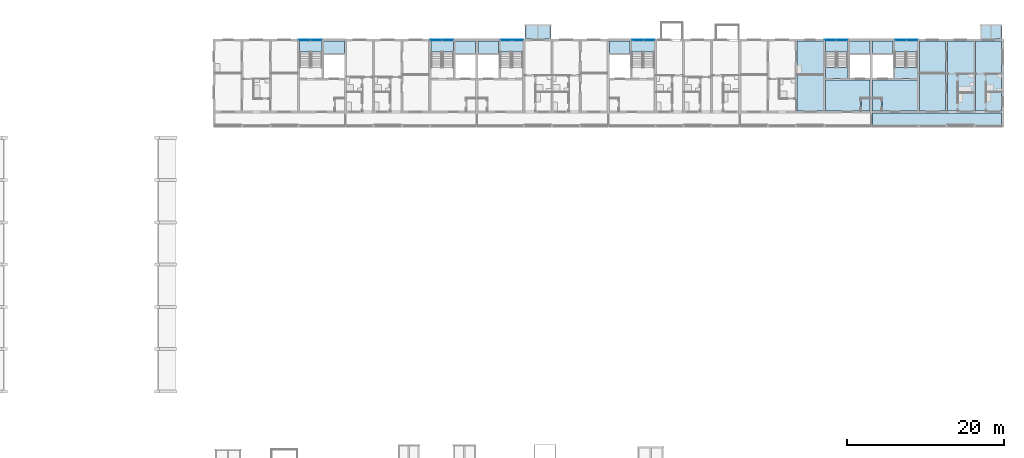
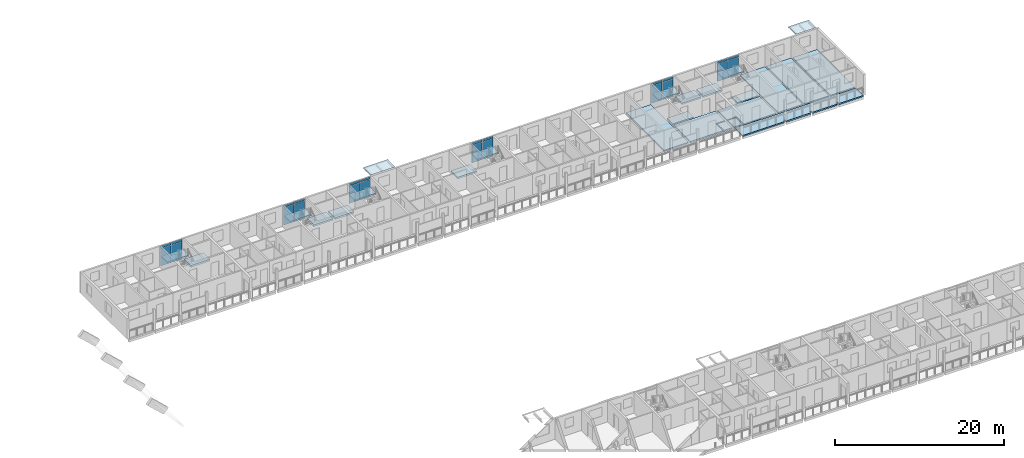
# One storey, part 29 of 98: 25 slabs, 24 plates, 12 elements without a shape of their own.
"""IFC4 building model written with IfcOpenShell, lengths in metres."""

from ifc_helpers import new_model, si_unit, direction, frame, origin, origin_2d, place, context, subcontext, project, spatial, polyline, rectangle, outline, extrude, material, layer, layer_set, type_object, element, aggregate, save


model = new_model("IFC4")

# Units and contexts
model_context = context("Model", 3, precision=1e-05, world=origin(), true_north=direction((0.0, 1.0)))
body_context = subcontext(model_context, "Body", "Model", "MODEL_VIEW")
ifc_project = project(units=[si_unit("LENGTHUNIT", "METRE"), si_unit("AREAUNIT", "SQUARE_METRE"), si_unit("VOLUMEUNIT", "CUBIC_METRE"), si_unit("PLANEANGLEUNIT", "RADIAN"), si_unit("MASSUNIT", "GRAM", prefix="KILO")], contexts=[model_context])

# Site, building, storey
site_placement = place(None, origin())
site = spatial("IfcSite", under=ifc_project, at=site_placement, CompositionType="ELEMENT")
building_placement = place(site_placement, origin())
building = spatial("IfcBuilding", under=site, at=building_placement, Name="Ridgestep Commons", CompositionType="ELEMENT")
storey_placement = place(building_placement, frame((0.0, 0.0, 12.0)))
storey = spatial("IfcBuildingStorey", under=building, at=storey_placement, Name="L04", CompositionType="ELEMENT", Elevation=12.0)

# Slab
ifc_material_1 = material(Name="Precast concrete C40/50", Category="concrete")
ifc_layer_1 = layer(ifc_material_1, 0.199951171875)
ifc_layer_set_1 = layer_set([ifc_layer_1], Name="Gallery slab 200")
slab_type_1 = type_object("IfcSlabType", Name="Gallery slab 200", PredefinedType="FLOOR", material=ifc_layer_set_1)
slab_1_placement = place(storey_placement, frame((0.0, 0.0, -0.199951171875)))
element("IfcSlab", 1, at=slab_1_placement, inside=storey, type_object=slab_type_1, Name="Gallery slab C6 L04", PredefinedType="FLOOR", context=body_context, shape_type="SweptSolid", body=[
    extrude(outline(polyline([(247.449951171875, 67.800048828125), (230.949951171875, 67.800048828125), (230.949951171875, 66.0), (236.675048828125, 66.0), (236.675048828125, 66.25), (236.925048828125, 66.25), (236.925048828125, 66.0), (240.27490234375, 66.0), (240.27490234375, 66.25), (240.52490234375, 66.25), (240.52490234375, 66.0), (243.875, 66.0), (243.875, 66.25), (244.125, 66.25), (244.125, 66.0), (247.449951171875, 66.0), (247.449951171875, 67.800048828125)])), origin(), (0.0, 0.0, 1.0), 0.199951171875),
])

# Curtain wall, plates
ifc_material_2 = material(Name="Aluminium 6063-T6 and glass", Category="aluminium")
curtain_wall_type = type_object("IfcCurtainWallType", Name="Curtain wall stair strip", PredefinedType="NOTDEFINED", material=ifc_material_2)
curtain_wall_1_placement = place(storey_placement, origin())
curtain_wall_1 = element("IfcCurtainWall", 2, at=curtain_wall_1_placement, inside=storey, type_object=curtain_wall_type, Name="Curtain wall C1C level 04", PredefinedType="NOTDEFINED")
ifc_material_3 = material(Name="Glass laminated 6/16/6 low-emissivity", Category="glass")
ifc_layer_2 = layer(ifc_material_3, 0.028076171875)
ifc_layer_set_2 = layer_set([ifc_layer_2], Name="Glazing panel 28")
plate_type_1 = type_object("IfcPlateType", Name="Glazing panel 28", PredefinedType="CURTAIN_PANEL", material=ifc_layer_set_2)
plate_1_placement = place(storey_placement, frame((158.371337890625, 77.080078125, 0.06005859375), z_axis=(0.0, 0.0, 1.0), x_axis=(1.0, 0.0, 0.0)))
plate_1 = element("IfcPlate", 3, at=plate_1_placement, type_object=plate_type_1, Name="CW1 panel 1.1", PredefinedType="CURTAIN_PANEL", context=body_context, shape_type="SweptSolid", body=[
    extrude(rectangle(XDim=1.422607421875, YDim=0.028076171875, at=origin_2d()), origin(), (0.0, 0.0, 1.0), 2.5),
])
plate_2_placement = place(storey_placement, frame((159.853759765625, 77.080078125, 0.06005859375), z_axis=(0.0, 0.0, 1.0), x_axis=(1.0, 0.0, 0.0)))
plate_2 = element("IfcPlate", 4, at=plate_2_placement, type_object=plate_type_1, Name="CW1 panel 2.1", PredefinedType="CURTAIN_PANEL", context=body_context, shape_type="SweptSolid", body=[
    extrude(rectangle(XDim=1.422607421875, YDim=0.028076171875, at=origin_2d()), origin(), (0.0, 0.0, 1.0), 2.5),
])

curtain_wall_2_placement = place(storey_placement, origin())
curtain_wall_2 = element("IfcCurtainWall", 5, at=curtain_wall_2_placement, inside=storey, type_object=curtain_wall_type, Name="Curtain wall C2C level 04", PredefinedType="NOTDEFINED")
plate_3_placement = place(storey_placement, frame((175.171142578125, 77.080078125, 0.06005859375), z_axis=(0.0, 0.0, 1.0), x_axis=(1.0, 0.0, 0.0)))
plate_3 = element("IfcPlate", 6, at=plate_3_placement, type_object=plate_type_1, Name="CW1 panel 1.1", PredefinedType="CURTAIN_PANEL", context=body_context, shape_type="SweptSolid", body=[
    extrude(rectangle(XDim=1.422607421875, YDim=0.028076171875, at=origin_2d()), origin(), (0.0, 0.0, 1.0), 2.5),
])
plate_4_placement = place(storey_placement, frame((176.65380859375, 77.080078125, 0.06005859375), z_axis=(0.0, 0.0, 1.0), x_axis=(1.0, 0.0, 0.0)))
plate_4 = element("IfcPlate", 7, at=plate_4_placement, type_object=plate_type_1, Name="CW1 panel 2.1", PredefinedType="CURTAIN_PANEL", context=body_context, shape_type="SweptSolid", body=[
    extrude(rectangle(XDim=1.422607421875, YDim=0.028076171875, at=origin_2d()), origin(), (0.0, 0.0, 1.0), 2.5),
])

curtain_wall_3_placement = place(storey_placement, origin())
curtain_wall_3 = element("IfcCurtainWall", 8, at=curtain_wall_3_placement, inside=storey, type_object=curtain_wall_type, Name="Curtain wall C3C level 04", PredefinedType="NOTDEFINED")
plate_5_placement = place(storey_placement, frame((184.146240234375, 77.080078125, 0.06005859375), z_axis=(0.0, 0.0, 1.0), x_axis=(1.0, 0.0, 0.0)))
plate_5 = element("IfcPlate", 9, at=plate_5_placement, type_object=plate_type_1, Name="CW1 panel 1.1", PredefinedType="CURTAIN_PANEL", context=body_context, shape_type="SweptSolid", body=[
    extrude(rectangle(XDim=1.422607421875, YDim=0.028076171875, at=origin_2d()), origin(), (0.0, 0.0, 1.0), 2.5),
])
plate_6_placement = place(storey_placement, frame((185.628662109375, 77.080078125, 0.06005859375), z_axis=(0.0, 0.0, 1.0), x_axis=(1.0, 0.0, 0.0)))
plate_6 = element("IfcPlate", 10, at=plate_6_placement, type_object=plate_type_1, Name="CW1 panel 2.1", PredefinedType="CURTAIN_PANEL", context=body_context, shape_type="SweptSolid", body=[
    extrude(rectangle(XDim=1.422607421875, YDim=0.028076171875, at=origin_2d()), origin(), (0.0, 0.0, 1.0), 2.5),
])

curtain_wall_4_placement = place(storey_placement, origin())
curtain_wall_4 = element("IfcCurtainWall", 11, at=curtain_wall_4_placement, inside=storey, type_object=curtain_wall_type, Name="Curtain wall C4C level 04", PredefinedType="NOTDEFINED")
plate_7_placement = place(storey_placement, frame((200.9462890625, 77.080078125, 0.06005859375), z_axis=(0.0, 0.0, 1.0), x_axis=(1.0, 0.0, 0.0)))
plate_7 = element("IfcPlate", 12, at=plate_7_placement, type_object=plate_type_1, Name="CW1 panel 1.1", PredefinedType="CURTAIN_PANEL", context=body_context, shape_type="SweptSolid", body=[
    extrude(rectangle(XDim=1.422607421875, YDim=0.028076171875, at=origin_2d()), origin(), (0.0, 0.0, 1.0), 2.5),
])
plate_8_placement = place(storey_placement, frame((202.4287109375, 77.080078125, 0.06005859375), z_axis=(0.0, 0.0, 1.0), x_axis=(1.0, 0.0, 0.0)))
plate_8 = element("IfcPlate", 13, at=plate_8_placement, type_object=plate_type_1, Name="CW1 panel 2.1", PredefinedType="CURTAIN_PANEL", context=body_context, shape_type="SweptSolid", body=[
    extrude(rectangle(XDim=1.422607421875, YDim=0.028076171875, at=origin_2d()), origin(), (0.0, 0.0, 1.0), 2.5),
])

curtain_wall_5_placement = place(storey_placement, origin())
curtain_wall_5 = element("IfcCurtainWall", 14, at=curtain_wall_5_placement, inside=storey, type_object=curtain_wall_type, Name="Curtain wall C5C level 04", PredefinedType="NOTDEFINED")
plate_9_placement = place(storey_placement, frame((225.5712890625, 77.080078125, 0.06005859375), z_axis=(0.0, 0.0, 1.0), x_axis=(1.0, 0.0, 0.0)))
plate_9 = element("IfcPlate", 15, at=plate_9_placement, type_object=plate_type_1, Name="CW1 panel 1.1", PredefinedType="CURTAIN_PANEL", context=body_context, shape_type="SweptSolid", body=[
    extrude(rectangle(XDim=1.422607421875, YDim=0.028076171875, at=origin_2d()), origin(), (0.0, 0.0, 1.0), 2.5),
])
plate_10_placement = place(storey_placement, frame((227.0537109375, 77.080078125, 0.06005859375), z_axis=(0.0, 0.0, 1.0), x_axis=(1.0, 0.0, 0.0)))
plate_10 = element("IfcPlate", 16, at=plate_10_placement, type_object=plate_type_1, Name="CW1 panel 2.1", PredefinedType="CURTAIN_PANEL", context=body_context, shape_type="SweptSolid", body=[
    extrude(rectangle(XDim=1.422607421875, YDim=0.028076171875, at=origin_2d()), origin(), (0.0, 0.0, 1.0), 2.5),
])

curtain_wall_6_placement = place(storey_placement, origin())
curtain_wall_6 = element("IfcCurtainWall", 17, at=curtain_wall_6_placement, inside=storey, type_object=curtain_wall_type, Name="Curtain wall C6C level 04", PredefinedType="NOTDEFINED")
plate_11_placement = place(storey_placement, frame((234.546142578125, 77.080078125, 0.06005859375), z_axis=(0.0, 0.0, 1.0), x_axis=(1.0, 0.0, 0.0)))
plate_11 = element("IfcPlate", 18, at=plate_11_placement, type_object=plate_type_1, Name="CW1 panel 1.1", PredefinedType="CURTAIN_PANEL", context=body_context, shape_type="SweptSolid", body=[
    extrude(rectangle(XDim=1.422607421875, YDim=0.028076171875, at=origin_2d()), origin(), (0.0, 0.0, 1.0), 2.5),
])
plate_12_placement = place(storey_placement, frame((236.02880859375, 77.080078125, 0.06005859375), z_axis=(0.0, 0.0, 1.0), x_axis=(1.0, 0.0, 0.0)))
plate_12 = element("IfcPlate", 19, at=plate_12_placement, type_object=plate_type_1, Name="CW1 panel 2.1", PredefinedType="CURTAIN_PANEL", context=body_context, shape_type="SweptSolid", body=[
    extrude(rectangle(XDim=1.422607421875, YDim=0.028076171875, at=origin_2d()), origin(), (0.0, 0.0, 1.0), 2.5),
])

# Slabs
ifc_material_4 = material(Name="Precast concrete C50/60", Category="concrete")
ifc_layer_3 = layer(ifc_material_4, 0.199951171875)
ifc_layer_set_3 = layer_set([ifc_layer_3], Name="Hollow-core plank 200")
slab_type_2 = type_object("IfcSlabType", Name="Hollow-core plank 200", PredefinedType="FLOOR", material=ifc_layer_set_3)
slab_2_placement = place(storey_placement, frame((0.0, 0.0, -0.199951171875)))
element("IfcSlab", 20, at=slab_2_placement, inside=storey, type_object=slab_type_2, Name="Floor plank C5T3 L04", PredefinedType="FLOOR", context=body_context, shape_type="SweptSolid", body=[
    extrude(outline(polyline([(224.675048828125, 68.0), (224.675048828125, 77.0), (221.324951171875, 77.0), (221.324951171875, 68.0), (224.675048828125, 68.0)])), origin(), (0.0, 0.0, 1.0), 0.199951171875),
])
slab_3_placement = place(storey_placement, frame((0.0, 0.0, -0.199951171875)))
element("IfcSlab", 21, at=slab_3_placement, inside=storey, type_object=slab_type_2, Name="Floor plank C6T3 L04", PredefinedType="FLOOR", context=body_context, shape_type="SweptSolid", body=[
    extrude(outline(polyline([(240.300048828125, 68.0), (240.300048828125, 77.0), (236.925048828125, 77.0), (236.925048828125, 68.0), (240.300048828125, 68.0)])), origin(), (0.0, 0.0, 1.0), 0.199951171875),
])
slab_4_placement = place(storey_placement, frame((0.0, 0.0, -0.199951171875)))
element("IfcSlab", 22, at=slab_4_placement, inside=storey, type_object=slab_type_2, Name="Floor plank C6T2 L04", PredefinedType="FLOOR", context=body_context, shape_type="SweptSolid", body=[
    extrude(outline(polyline([(243.89990234375, 68.0), (243.89990234375, 77.0), (240.5, 77.0), (240.5, 68.0), (243.89990234375, 68.0)])), origin(), (0.0, 0.0, 1.0), 0.199951171875),
])
slab_5_placement = place(storey_placement, frame((0.0, 0.0, -0.199951171875)))
element("IfcSlab", 23, at=slab_5_placement, inside=storey, type_object=slab_type_2, Name="Floor plank C6T1 L04", PredefinedType="FLOOR", context=body_context, shape_type="SweptSolid", body=[
    extrude(outline(polyline([(247.449951171875, 68.0), (247.449951171875, 77.0), (244.10009765625, 77.0), (244.10009765625, 68.0), (247.449951171875, 68.0)])), origin(), (0.0, 0.0, 1.0), 0.199951171875),
])
ifc_material_5 = material(Name="Precast concrete C50/60", Category="concrete")
ifc_layer_4 = layer(ifc_material_5, 0.25)
ifc_layer_set_4 = layer_set([ifc_layer_4], Name="Hollow-core plank 250")
slab_type_3 = type_object("IfcSlabType", Name="Hollow-core plank 250", PredefinedType="FLOOR", material=ifc_layer_set_4)
slab_6_placement = place(storey_placement, frame((0.0, 0.0, -0.25)))
element("IfcSlab", 24, at=slab_6_placement, inside=storey, type_object=slab_type_3, Name="Floor plank C1C L04", PredefinedType="FLOOR", context=body_context, shape_type="SweptSolid", body=[
    extrude(outline(polyline([(163.449951171875, 75.39990234375), (163.449951171875, 77.0), (160.824951171875, 77.0), (160.824951171875, 75.39990234375), (163.449951171875, 75.39990234375)])), origin(), (0.0, 0.0, 1.0), 0.25),
])
slab_7_placement = place(storey_placement, frame((0.0, 0.0, -0.25)))
element("IfcSlab", 25, at=slab_7_placement, inside=storey, type_object=slab_type_3, Name="Floor plank C2C L04", PredefinedType="FLOOR", context=body_context, shape_type="SweptSolid", body=[
    extrude(outline(polyline([(180.25, 75.39990234375), (180.25, 77.0), (177.625, 77.0), (177.625, 75.39990234375), (180.25, 75.39990234375)])), origin(), (0.0, 0.0, 1.0), 0.25),
])
slab_8_placement = place(storey_placement, frame((0.0, 0.0, -0.25)))
element("IfcSlab", 26, at=slab_8_placement, inside=storey, type_object=slab_type_3, Name="Floor plank C3C L04", PredefinedType="FLOOR", context=body_context, shape_type="SweptSolid", body=[
    extrude(outline(polyline([(183.175048828125, 77.0), (180.550048828125, 77.0), (180.550048828125, 75.39990234375), (183.175048828125, 75.39990234375), (183.175048828125, 77.0)])), origin(), (0.0, 0.0, 1.0), 0.25),
])
slab_9_placement = place(storey_placement, frame((0.0, 0.0, -0.25)))
element("IfcSlab", 27, at=slab_9_placement, inside=storey, type_object=slab_type_3, Name="Floor plank C4C L04", PredefinedType="FLOOR", context=body_context, shape_type="SweptSolid", body=[
    extrude(outline(polyline([(199.97509765625, 77.0), (197.35009765625, 77.0), (197.35009765625, 75.39990234375), (199.97509765625, 75.39990234375), (199.97509765625, 77.0)])), origin(), (0.0, 0.0, 1.0), 0.25),
])
slab_10_placement = place(storey_placement, frame((0.0, 0.0, -0.25)))
element("IfcSlab", 28, at=slab_10_placement, inside=storey, type_object=slab_type_3, Name="Floor plank C5C L04", PredefinedType="FLOOR", context=body_context, shape_type="SweptSolid", body=[
    extrude(outline(polyline([(229.52001953125, 69.719970703125), (230.64990234375, 69.719970703125), (230.64990234375, 72.0), (224.925048828125, 72.0), (224.925048828125, 68.0), (229.39990234375, 68.0), (229.39990234375, 69.719970703125), (229.52001953125, 69.719970703125)])), origin(), (0.0, 0.0, 1.0), 0.25),
])
slab_11_placement = place(storey_placement, frame((0.0, 0.0, -0.25)))
element("IfcSlab", 29, at=slab_11_placement, inside=storey, type_object=slab_type_3, Name="Floor plank C5C L04", PredefinedType="FLOOR", context=body_context, shape_type="SweptSolid", body=[
    extrude(outline(polyline([(230.64990234375, 75.39990234375), (230.64990234375, 77.0), (228.02490234375, 77.0), (228.02490234375, 75.39990234375), (230.64990234375, 75.39990234375)])), origin(), (0.0, 0.0, 1.0), 0.25),
])
slab_12_placement = place(storey_placement, frame((0.0, 0.0, -0.25)))
element("IfcSlab", 30, at=slab_12_placement, inside=storey, type_object=slab_type_3, Name="Floor plank C5C L04", PredefinedType="FLOOR", context=body_context, shape_type="SweptSolid", body=[
    extrude(outline(polyline([(227.824951171875, 72.199951171875), (227.824951171875, 73.60009765625), (224.925048828125, 73.60009765625), (224.925048828125, 72.199951171875), (227.824951171875, 72.199951171875)])), origin(), (0.0, 0.0, 1.0), 0.25),
])
slab_13_placement = place(storey_placement, frame((0.0, 0.0, -0.25)))
element("IfcSlab", 31, at=slab_13_placement, inside=storey, type_object=slab_type_3, Name="Floor plank C5C L04", PredefinedType="FLOOR", context=body_context, shape_type="SweptSolid", body=[
    extrude(outline(polyline([(229.52001953125, 68.0), (230.64990234375, 68.0), (230.64990234375, 69.60009765625), (229.52001953125, 69.60009765625), (229.52001953125, 68.0)])), origin(), (0.0, 0.0, 1.0), 0.25),
])
slab_14_placement = place(storey_placement, frame((0.0, 0.0, -0.25)))
element("IfcSlab", 32, at=slab_14_placement, inside=storey, type_object=slab_type_3, Name="Floor plank C6C L04", PredefinedType="FLOOR", context=body_context, shape_type="SweptSolid", body=[
    extrude(outline(polyline([(232.199951171875, 68.0), (236.675048828125, 68.0), (236.675048828125, 72.0), (230.949951171875, 72.0), (230.949951171875, 69.719970703125), (232.080078125, 69.719970703125), (232.199951171875, 69.719970703125), (232.199951171875, 68.0)])), origin(), (0.0, 0.0, 1.0), 0.25),
])
slab_15_placement = place(storey_placement, frame((0.0, 0.0, -0.25)))
element("IfcSlab", 33, at=slab_15_placement, inside=storey, type_object=slab_type_3, Name="Floor plank C6C L04", PredefinedType="FLOOR", context=body_context, shape_type="SweptSolid", body=[
    extrude(outline(polyline([(233.574951171875, 77.0), (230.949951171875, 77.0), (230.949951171875, 75.39990234375), (233.574951171875, 75.39990234375), (233.574951171875, 77.0)])), origin(), (0.0, 0.0, 1.0), 0.25),
])
slab_16_placement = place(storey_placement, frame((0.0, 0.0, -0.25)))
element("IfcSlab", 34, at=slab_16_placement, inside=storey, type_object=slab_type_3, Name="Floor plank C6C L04", PredefinedType="FLOOR", context=body_context, shape_type="SweptSolid", body=[
    extrude(outline(polyline([(236.675048828125, 72.199951171875), (236.675048828125, 73.60009765625), (233.77490234375, 73.60009765625), (233.77490234375, 72.199951171875), (236.675048828125, 72.199951171875)])), origin(), (0.0, 0.0, 1.0), 0.25),
])
slab_17_placement = place(storey_placement, frame((0.0, 0.0, -0.25)))
element("IfcSlab", 35, at=slab_17_placement, inside=storey, type_object=slab_type_3, Name="Floor plank C6C L04", PredefinedType="FLOOR", context=body_context, shape_type="SweptSolid", body=[
    extrude(outline(polyline([(232.080078125, 69.60009765625), (230.949951171875, 69.60009765625), (230.949951171875, 68.0), (232.080078125, 68.0), (232.080078125, 69.60009765625)])), origin(), (0.0, 0.0, 1.0), 0.25),
])

# Plate
ifc_material_6 = material(Name="Aluminium 6063-T6 and mineral wool", Category="aluminium")
ifc_layer_5 = layer(ifc_material_6, 0.0400390625)
ifc_layer_set_5 = layer_set([ifc_layer_5], Name="Spandrel panel 40")
plate_type_2 = type_object("IfcPlateType", Name="Spandrel panel 40", PredefinedType="CURTAIN_PANEL", material=ifc_layer_set_5)
plate_13_placement = place(storey_placement, frame((158.371337890625, 77.080078125, 2.6201171875), z_axis=(0.0, 0.0, 1.0), x_axis=(1.0, 0.0, 0.0)))
plate_13 = element("IfcPlate", 36, at=plate_13_placement, type_object=plate_type_2, Name="CW1 panel 1.2", PredefinedType="CURTAIN_PANEL", context=body_context, shape_type="SweptSolid", body=[
    extrude(rectangle(XDim=1.422607421875, YDim=0.0400390625, at=origin_2d()), origin(), (0.0, 0.0, 1.0), 0.320068359375),
])

plate_14_placement = place(storey_placement, frame((159.853759765625, 77.080078125, 2.6201171875), z_axis=(0.0, 0.0, 1.0), x_axis=(1.0, 0.0, 0.0)))
plate_14 = element("IfcPlate", 37, at=plate_14_placement, type_object=plate_type_2, Name="CW1 panel 2.2", PredefinedType="CURTAIN_PANEL", context=body_context, shape_type="SweptSolid", body=[
    extrude(rectangle(XDim=1.422607421875, YDim=0.0400390625, at=origin_2d()), origin(), (0.0, 0.0, 1.0), 0.320068359375),
])

aggregate(curtain_wall_1, [plate_1, plate_13, plate_2, plate_14])

plate_15_placement = place(storey_placement, frame((175.171142578125, 77.080078125, 2.6201171875), z_axis=(0.0, 0.0, 1.0), x_axis=(1.0, 0.0, 0.0)))
plate_15 = element("IfcPlate", 38, at=plate_15_placement, type_object=plate_type_2, Name="CW1 panel 1.2", PredefinedType="CURTAIN_PANEL", context=body_context, shape_type="SweptSolid", body=[
    extrude(rectangle(XDim=1.422607421875, YDim=0.0400390625, at=origin_2d()), origin(), (0.0, 0.0, 1.0), 0.320068359375),
])

plate_16_placement = place(storey_placement, frame((176.65380859375, 77.080078125, 2.6201171875), z_axis=(0.0, 0.0, 1.0), x_axis=(1.0, 0.0, 0.0)))
plate_16 = element("IfcPlate", 39, at=plate_16_placement, type_object=plate_type_2, Name="CW1 panel 2.2", PredefinedType="CURTAIN_PANEL", context=body_context, shape_type="SweptSolid", body=[
    extrude(rectangle(XDim=1.422607421875, YDim=0.0400390625, at=origin_2d()), origin(), (0.0, 0.0, 1.0), 0.320068359375),
])

aggregate(curtain_wall_2, [plate_3, plate_15, plate_4, plate_16])

plate_17_placement = place(storey_placement, frame((184.146240234375, 77.080078125, 2.6201171875), z_axis=(0.0, 0.0, 1.0), x_axis=(1.0, 0.0, 0.0)))
plate_17 = element("IfcPlate", 40, at=plate_17_placement, type_object=plate_type_2, Name="CW1 panel 1.2", PredefinedType="CURTAIN_PANEL", context=body_context, shape_type="SweptSolid", body=[
    extrude(rectangle(XDim=1.422607421875, YDim=0.0400390625, at=origin_2d()), origin(), (0.0, 0.0, 1.0), 0.320068359375),
])

plate_18_placement = place(storey_placement, frame((185.628662109375, 77.080078125, 2.6201171875), z_axis=(0.0, 0.0, 1.0), x_axis=(1.0, 0.0, 0.0)))
plate_18 = element("IfcPlate", 41, at=plate_18_placement, type_object=plate_type_2, Name="CW1 panel 2.2", PredefinedType="CURTAIN_PANEL", context=body_context, shape_type="SweptSolid", body=[
    extrude(rectangle(XDim=1.422607421875, YDim=0.0400390625, at=origin_2d()), origin(), (0.0, 0.0, 1.0), 0.320068359375),
])

aggregate(curtain_wall_3, [plate_5, plate_17, plate_6, plate_18])

plate_19_placement = place(storey_placement, frame((200.9462890625, 77.080078125, 2.6201171875), z_axis=(0.0, 0.0, 1.0), x_axis=(1.0, 0.0, 0.0)))
plate_19 = element("IfcPlate", 42, at=plate_19_placement, type_object=plate_type_2, Name="CW1 panel 1.2", PredefinedType="CURTAIN_PANEL", context=body_context, shape_type="SweptSolid", body=[
    extrude(rectangle(XDim=1.422607421875, YDim=0.0400390625, at=origin_2d()), origin(), (0.0, 0.0, 1.0), 0.320068359375),
])

plate_20_placement = place(storey_placement, frame((202.4287109375, 77.080078125, 2.6201171875), z_axis=(0.0, 0.0, 1.0), x_axis=(1.0, 0.0, 0.0)))
plate_20 = element("IfcPlate", 43, at=plate_20_placement, type_object=plate_type_2, Name="CW1 panel 2.2", PredefinedType="CURTAIN_PANEL", context=body_context, shape_type="SweptSolid", body=[
    extrude(rectangle(XDim=1.422607421875, YDim=0.0400390625, at=origin_2d()), origin(), (0.0, 0.0, 1.0), 0.320068359375),
])

aggregate(curtain_wall_4, [plate_7, plate_19, plate_8, plate_20])

plate_21_placement = place(storey_placement, frame((225.5712890625, 77.080078125, 2.6201171875), z_axis=(0.0, 0.0, 1.0), x_axis=(1.0, 0.0, 0.0)))
plate_21 = element("IfcPlate", 44, at=plate_21_placement, type_object=plate_type_2, Name="CW1 panel 1.2", PredefinedType="CURTAIN_PANEL", context=body_context, shape_type="SweptSolid", body=[
    extrude(rectangle(XDim=1.422607421875, YDim=0.0400390625, at=origin_2d()), origin(), (0.0, 0.0, 1.0), 0.320068359375),
])

plate_22_placement = place(storey_placement, frame((227.0537109375, 77.080078125, 2.6201171875), z_axis=(0.0, 0.0, 1.0), x_axis=(1.0, 0.0, 0.0)))
plate_22 = element("IfcPlate", 45, at=plate_22_placement, type_object=plate_type_2, Name="CW1 panel 2.2", PredefinedType="CURTAIN_PANEL", context=body_context, shape_type="SweptSolid", body=[
    extrude(rectangle(XDim=1.422607421875, YDim=0.0400390625, at=origin_2d()), origin(), (0.0, 0.0, 1.0), 0.320068359375),
])

aggregate(curtain_wall_5, [plate_9, plate_21, plate_10, plate_22])

plate_23_placement = place(storey_placement, frame((234.546142578125, 77.080078125, 2.6201171875), z_axis=(0.0, 0.0, 1.0), x_axis=(1.0, 0.0, 0.0)))
plate_23 = element("IfcPlate", 46, at=plate_23_placement, type_object=plate_type_2, Name="CW1 panel 1.2", PredefinedType="CURTAIN_PANEL", context=body_context, shape_type="SweptSolid", body=[
    extrude(rectangle(XDim=1.422607421875, YDim=0.0400390625, at=origin_2d()), origin(), (0.0, 0.0, 1.0), 0.320068359375),
])

plate_24_placement = place(storey_placement, frame((236.02880859375, 77.080078125, 2.6201171875), z_axis=(0.0, 0.0, 1.0), x_axis=(1.0, 0.0, 0.0)))
plate_24 = element("IfcPlate", 47, at=plate_24_placement, type_object=plate_type_2, Name="CW1 panel 2.2", PredefinedType="CURTAIN_PANEL", context=body_context, shape_type="SweptSolid", body=[
    extrude(rectangle(XDim=1.422607421875, YDim=0.0400390625, at=origin_2d()), origin(), (0.0, 0.0, 1.0), 0.320068359375),
])

aggregate(curtain_wall_6, [plate_11, plate_23, plate_12, plate_24])

# Stair, slab
ifc_material_7 = material(Name="Precast concrete C40/50", Category="concrete")
stair_type = type_object("IfcStairType", Name="Escape stair 1400", PredefinedType="HALF_TURN_STAIR", material=ifc_material_7)
stair_1_placement = place(storey_placement, origin())
stair_1 = element("IfcStair", 48, at=stair_1_placement, inside=storey, type_object=stair_type, Name="L04 Escape stair C1C", PredefinedType="HALF_TURN_STAIR")
ifc_material_8 = material(Name="Precast concrete C40/50", Category="concrete")
ifc_layer_6 = layer(ifc_material_8, 0.199951171875)
ifc_layer_set_6 = layer_set([ifc_layer_6], Name="Stair landing 200")
slab_type_4 = type_object("IfcSlabType", Name="Stair landing 200", PredefinedType="LANDING", material=ifc_layer_set_6)
slab_18_placement = place(storey_placement, frame((0.0, 0.0, 1.300048828125)))
slab_18 = element("IfcSlab", 49, at=slab_18_placement, type_object=slab_type_4, Name="C1C landing 1", PredefinedType="LANDING", context=body_context, shape_type="SweptSolid", body=[
    extrude(outline(polyline([(160.625, 75.56005859375), (160.625, 77.0), (157.72509765625, 77.0), (157.72509765625, 75.56005859375), (160.625, 75.56005859375)])), origin(), (0.0, 0.0, 1.0), 0.199951171875),
])
aggregate(stair_1, [slab_18])

stair_2_placement = place(storey_placement, origin())
stair_2 = element("IfcStair", 50, at=stair_2_placement, inside=storey, type_object=stair_type, Name="L04 Escape stair C2C", PredefinedType="HALF_TURN_STAIR")
slab_19_placement = place(storey_placement, frame((0.0, 0.0, 1.300048828125)))
slab_19 = element("IfcSlab", 51, at=slab_19_placement, type_object=slab_type_4, Name="C2C landing 1", PredefinedType="LANDING", context=body_context, shape_type="SweptSolid", body=[
    extrude(outline(polyline([(177.425048828125, 75.56005859375), (177.425048828125, 77.0), (174.52490234375, 77.0), (174.52490234375, 75.56005859375), (177.425048828125, 75.56005859375)])), origin(), (0.0, 0.0, 1.0), 0.199951171875),
])
aggregate(stair_2, [slab_19])

stair_3_placement = place(storey_placement, origin())
stair_3 = element("IfcStair", 52, at=stair_3_placement, inside=storey, type_object=stair_type, Name="L04 Escape stair C3C", PredefinedType="HALF_TURN_STAIR")
slab_20_placement = place(storey_placement, frame((0.0, 0.0, 1.300048828125)))
slab_20 = element("IfcSlab", 53, at=slab_20_placement, type_object=slab_type_4, Name="C3C landing 1", PredefinedType="LANDING", context=body_context, shape_type="SweptSolid", body=[
    extrude(outline(polyline([(186.27490234375, 75.56005859375), (186.27490234375, 77.0), (183.375, 77.0), (183.375, 75.56005859375), (186.27490234375, 75.56005859375)])), origin(), (0.0, 0.0, 1.0), 0.199951171875),
])
aggregate(stair_3, [slab_20])

stair_4_placement = place(storey_placement, origin())
stair_4 = element("IfcStair", 54, at=stair_4_placement, inside=storey, type_object=stair_type, Name="L04 Escape stair C4C", PredefinedType="HALF_TURN_STAIR")
slab_21_placement = place(storey_placement, frame((0.0, 0.0, 1.300048828125)))
slab_21 = element("IfcSlab", 55, at=slab_21_placement, type_object=slab_type_4, Name="C4C landing 1", PredefinedType="LANDING", context=body_context, shape_type="SweptSolid", body=[
    extrude(outline(polyline([(203.074951171875, 75.56005859375), (203.074951171875, 77.0), (200.175048828125, 77.0), (200.175048828125, 75.56005859375), (203.074951171875, 75.56005859375)])), origin(), (0.0, 0.0, 1.0), 0.199951171875),
])
aggregate(stair_4, [slab_21])

stair_5_placement = place(storey_placement, origin())
stair_5 = element("IfcStair", 56, at=stair_5_placement, inside=storey, type_object=stair_type, Name="L04 Escape stair C5C", PredefinedType="HALF_TURN_STAIR")
slab_22_placement = place(storey_placement, frame((0.0, 0.0, 1.300048828125)))
slab_22 = element("IfcSlab", 57, at=slab_22_placement, type_object=slab_type_4, Name="C5C landing 1", PredefinedType="LANDING", context=body_context, shape_type="SweptSolid", body=[
    extrude(outline(polyline([(227.824951171875, 75.56005859375), (227.824951171875, 77.0), (224.925048828125, 77.0), (224.925048828125, 75.56005859375), (227.824951171875, 75.56005859375)])), origin(), (0.0, 0.0, 1.0), 0.199951171875),
])
aggregate(stair_5, [slab_22])

stair_6_placement = place(storey_placement, origin())
stair_6 = element("IfcStair", 58, at=stair_6_placement, inside=storey, type_object=stair_type, Name="L04 Escape stair C6C", PredefinedType="HALF_TURN_STAIR")
slab_23_placement = place(storey_placement, frame((0.0, 0.0, 1.300048828125)))
slab_23 = element("IfcSlab", 59, at=slab_23_placement, type_object=slab_type_4, Name="C6C landing 1", PredefinedType="LANDING", context=body_context, shape_type="SweptSolid", body=[
    extrude(outline(polyline([(236.675048828125, 75.56005859375), (236.675048828125, 77.0), (233.77490234375, 77.0), (233.77490234375, 75.56005859375), (236.675048828125, 75.56005859375)])), origin(), (0.0, 0.0, 1.0), 0.199951171875),
])
aggregate(stair_6, [slab_23])

# Slabs
ifc_material_9 = material(Name="Weathering steel S355J2W", Category="steel")
ifc_layer_7 = layer(ifc_material_9, 0.010009765625)
ifc_layer_set_7 = layer_set([ifc_layer_7], Name="Tray 2.8 x 1.8")
slab_type_5 = type_object("IfcSlabType", Name="Tray 2.8 x 1.8", PredefinedType="FLOOR", material=ifc_layer_set_7)
slab_24_placement = place(storey_placement, frame((0.0, 0.0, 2.989990234375)))
element("IfcSlab", 60, at=slab_24_placement, inside=storey, type_object=slab_type_5, Name="Tray deck C6T1-05", PredefinedType="FLOOR", context=body_context, shape_type="SweptSolid", body=[
    extrude(outline(polyline([(244.72998046875, 77.25), (247.469970703125, 77.25), (247.469970703125, 79.050048828125), (244.72998046875, 79.050048828125), (244.72998046875, 77.25)])), origin(), (0.0, 0.0, 1.0), 0.010009765625),
])
ifc_material_10 = material(Name="Weathering steel S355J2W", Category="steel")
ifc_layer_8 = layer(ifc_material_10, 0.010009765625)
ifc_layer_set_8 = layer_set([ifc_layer_8], Name="Tray 3.4 x 1.8")
slab_type_6 = type_object("IfcSlabType", Name="Tray 3.4 x 1.8", PredefinedType="FLOOR", material=ifc_layer_set_8)
slab_25_placement = place(storey_placement, frame((0.0, 0.0, 2.989990234375)))
element("IfcSlab", 61, at=slab_25_placement, inside=storey, type_object=slab_type_6, Name="Tray deck C3T3-05", PredefinedType="FLOOR", context=body_context, shape_type="SweptSolid", body=[
    extrude(outline(polyline([(186.530029296875, 77.25), (189.8701171875, 77.25), (189.8701171875, 79.050048828125), (186.530029296875, 79.050048828125), (186.530029296875, 77.25)])), origin(), (0.0, 0.0, 1.0), 0.010009765625),
])

save(model, "model.ifc")
